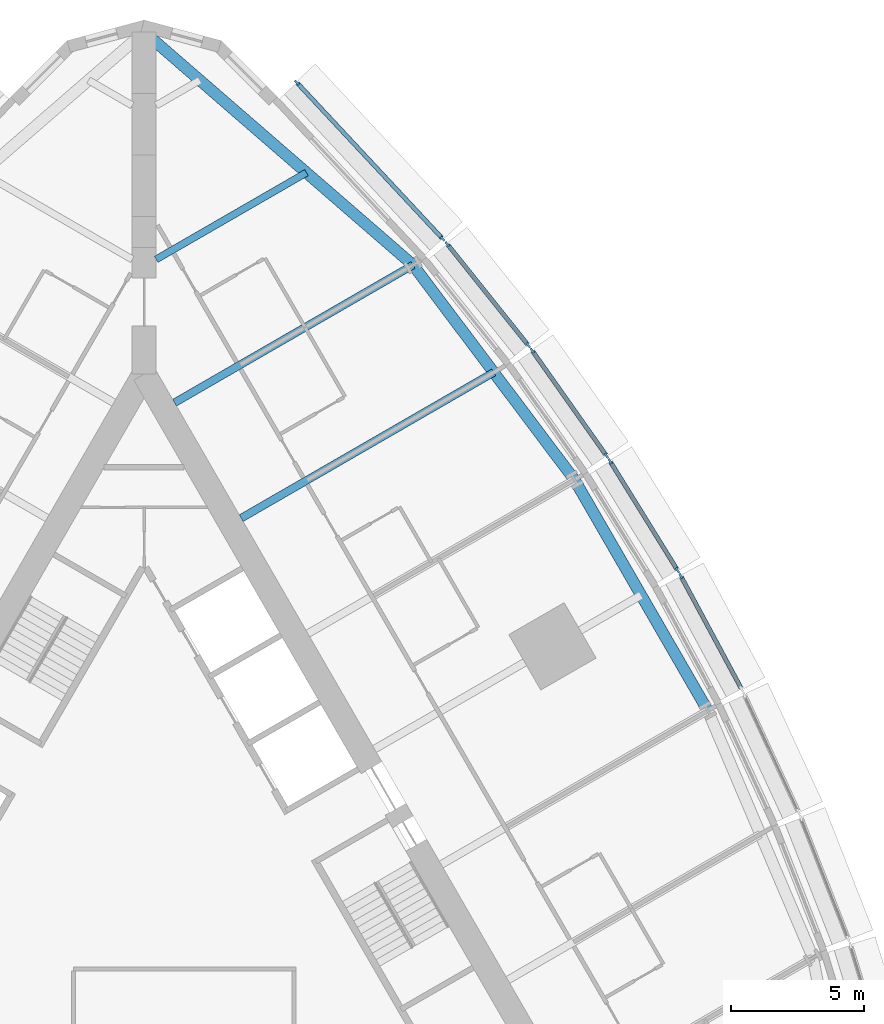
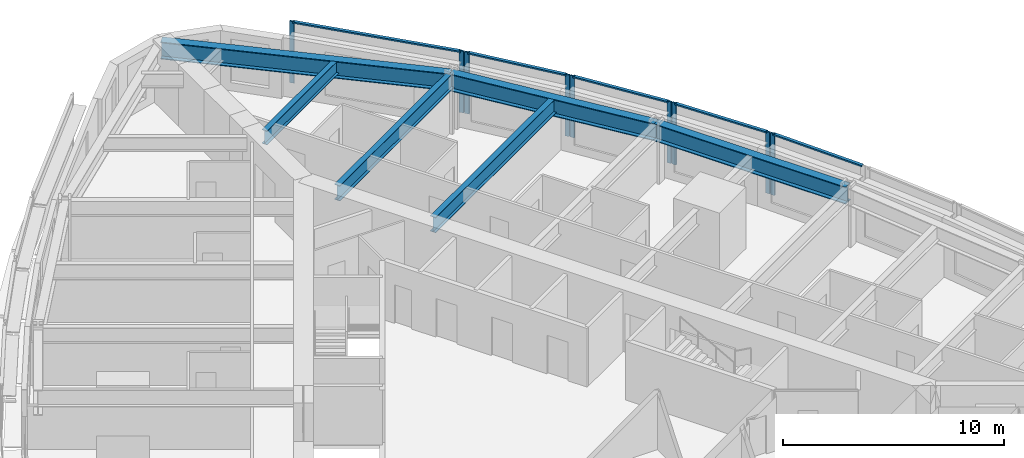
# One storey, part 5 of 14: 14 members, 6 beams, 5 elements without a shape of their own.
"""IFC4 building model written with IfcOpenShell, lengths in metres."""

from ifc_helpers import new_model, si_unit, direction, frame, origin, origin_2d, place, context, subcontext, project, spatial, rectangle, i_section, extrude, material, material_profile, profile_set, type_object, element, aggregate, save


model = new_model("IFC4")

# Units and contexts
model_context = context("Model", 3, precision=1e-05, world=origin(), true_north=direction((0.0, 1.0)))
body_context = subcontext(model_context, "Body", "Model", "MODEL_VIEW")
ifc_project = project(units=[si_unit("LENGTHUNIT", "METRE"), si_unit("AREAUNIT", "SQUARE_METRE"), si_unit("VOLUMEUNIT", "CUBIC_METRE"), si_unit("PLANEANGLEUNIT", "RADIAN"), si_unit("MASSUNIT", "GRAM", prefix="KILO")], contexts=[model_context])

# Site, building, storey
site_placement = place(None, origin())
site = spatial("IfcSite", under=ifc_project, at=site_placement, CompositionType="ELEMENT")
building_placement = place(site_placement, origin())
building = spatial("IfcBuilding", under=site, at=building_placement, Name="Trikona Tower", CompositionType="ELEMENT")
storey_placement = place(building_placement, frame((0.0, 0.0, 42.10009765625)))
storey = spatial("IfcBuildingStorey", under=building, at=storey_placement, Name="L09", CompositionType="ELEMENT", Elevation=42.10009765625)

# Curtain wall, member
ifc_material_1 = material(Name="Aluminium curtain wall system", Category="aluminium")
curtain_wall_type = type_object("IfcCurtainWallType", Name="Curtain wall DS1", PredefinedType="NOTDEFINED", material=ifc_material_1)
curtain_wall_1_placement = place(storey_placement, origin())
curtain_wall_1 = element("IfcCurtainWall", 1, at=curtain_wall_1_placement, inside=storey, type_object=curtain_wall_type, Name="Curtain wall DS1 L09", PredefinedType="NOTDEFINED")
ifc_material_2 = material(Name="Aluminium mullion, pale anodised", Category="aluminium")
ifc_material_profile_1 = material_profile(ifc_material_2, rectangle(XDim=0.080078125, YDim=0.219970703125, at=origin_2d()), Name="MUL-DS1")
ifc_profile_set_1 = profile_set([ifc_material_profile_1], Name="Aluminium mullion, pale anodised")
member_type_1 = type_object("IfcMemberType", Name="Mullion DS1 80x220", PredefinedType="MULLION", material=ifc_profile_set_1)
member_1_placement = place(storey_placement, frame((20.128662109375, 11.474365234375, 0.0), z_axis=(0.0, 0.0, 1.0), x_axis=(-0.880843080975, -0.473408350896, 0.0)))
member_1 = element("IfcMember", 2, at=member_1_placement, type_object=member_type_1, Name="CW-DS1 mullion 2", PredefinedType="MULLION", context=body_context, shape_type="SweptSolid", body=[
    extrude(rectangle(XDim=0.080078125, YDim=0.219970703125, at=origin_2d()), origin(), (0.0, 0.0, 1.0), 3.39990234375),
])

# Curtain wall, members
curtain_wall_2_placement = place(storey_placement, origin())
curtain_wall_2 = element("IfcCurtainWall", 3, at=curtain_wall_2_placement, inside=storey, type_object=curtain_wall_type, Name="Curtain wall DS1 L09", PredefinedType="NOTDEFINED")
member_2_placement = place(storey_placement, frame((20.00146484375, 11.69482421875, 0.0), z_axis=(0.0, 0.0, 1.0), x_axis=(-0.850410468941, -0.526119790842, 0.0)))
member_2 = element("IfcMember", 4, at=member_2_placement, type_object=member_type_1, Name="CW-DS1 mullion 1", PredefinedType="MULLION", context=body_context, shape_type="SweptSolid", body=[
    extrude(rectangle(XDim=0.080078125, YDim=0.219970703125, at=origin_2d()), origin(), (0.0, 0.0, 1.0), 3.39990234375),
])
member_3_placement = place(storey_placement, frame((17.474853515625, 15.77880859375, 0.0), z_axis=(0.0, 0.0, 1.0), x_axis=(-0.850410468941, -0.526119790842, 0.0)))
member_3 = element("IfcMember", 5, at=member_3_placement, type_object=member_type_1, Name="CW-DS1 mullion 2", PredefinedType="MULLION", context=body_context, shape_type="SweptSolid", body=[
    extrude(rectangle(XDim=0.080078125, YDim=0.219970703125, at=origin_2d()), origin(), (0.0, 0.0, 1.0), 3.39990234375),
])

curtain_wall_3_placement = place(storey_placement, origin())
curtain_wall_3 = element("IfcCurtainWall", 6, at=curtain_wall_3_placement, inside=storey, type_object=curtain_wall_type, Name="Curtain wall DS1 L09", PredefinedType="NOTDEFINED")
member_4_placement = place(storey_placement, frame((17.33447265625, 15.990966796875, 0.0), z_axis=(0.0, 0.0, 1.0), x_axis=(-0.816985393055, -0.576658362928, 0.0)))
member_4 = element("IfcMember", 7, at=member_4_placement, type_object=member_type_1, Name="CW-DS1 mullion 1", PredefinedType="MULLION", context=body_context, shape_type="SweptSolid", body=[
    extrude(rectangle(XDim=0.080078125, YDim=0.219970703125, at=origin_2d()), origin(), (0.0, 0.0, 1.0), 3.39990234375),
])
member_5_placement = place(storey_placement, frame((14.554443359375, 19.929443359375, 0.0), z_axis=(0.0, 0.0, 1.0), x_axis=(-0.816985393055, -0.576658362928, 0.0)))
member_5 = element("IfcMember", 8, at=member_5_placement, type_object=member_type_1, Name="CW-DS1 mullion 2", PredefinedType="MULLION", context=body_context, shape_type="SweptSolid", body=[
    extrude(rectangle(XDim=0.080078125, YDim=0.219970703125, at=origin_2d()), origin(), (0.0, 0.0, 1.0), 3.39990234375),
])

curtain_wall_4_placement = place(storey_placement, origin())
curtain_wall_4 = element("IfcCurtainWall", 9, at=curtain_wall_4_placement, inside=storey, type_object=curtain_wall_type, Name="Curtain wall DS1 L09", PredefinedType="NOTDEFINED")
member_6_placement = place(storey_placement, frame((14.40185546875, 20.13232421875, 0.0), z_axis=(0.0, 0.0, 1.0), x_axis=(-0.780937959679, -0.624608599951, 0.0)))
member_6 = element("IfcMember", 10, at=member_6_placement, type_object=member_type_1, Name="CW-DS1 mullion 1", PredefinedType="MULLION", context=body_context, shape_type="SweptSolid", body=[
    extrude(rectangle(XDim=0.080078125, YDim=0.219970703125, at=origin_2d()), origin(), (0.0, 0.0, 1.0), 3.39990234375),
])
member_7_placement = place(storey_placement, frame((11.36767578125, 23.926025390625, 0.0), z_axis=(0.0, 0.0, 1.0), x_axis=(-0.780937959679, -0.624608599951, 0.0)))
member_7 = element("IfcMember", 11, at=member_7_placement, type_object=member_type_1, Name="CW-DS1 mullion 2", PredefinedType="MULLION", context=body_context, shape_type="SweptSolid", body=[
    extrude(rectangle(XDim=0.080078125, YDim=0.219970703125, at=origin_2d()), origin(), (0.0, 0.0, 1.0), 3.39990234375),
])

curtain_wall_5_placement = place(storey_placement, origin())
curtain_wall_5 = element("IfcCurtainWall", 12, at=curtain_wall_5_placement, inside=storey, type_object=curtain_wall_type, Name="Curtain wall DS1 L09", PredefinedType="NOTDEFINED")
member_8_placement = place(storey_placement, frame((11.192138671875, 24.129150390625, 0.0), z_axis=(0.0, 0.0, 1.0), x_axis=(-0.731076639405, -0.682295351967, 0.0)))
member_8 = element("IfcMember", 13, at=member_8_placement, type_object=member_type_1, Name="CW-DS1 mullion 1", PredefinedType="MULLION", context=body_context, shape_type="SweptSolid", body=[
    extrude(rectangle(XDim=0.080078125, YDim=0.219970703125, at=origin_2d()), origin(), (0.0, 0.0, 1.0), 3.39990234375),
])
member_9_placement = place(storey_placement, frame((5.72607421875, 29.98583984375, 0.0), z_axis=(0.0, 0.0, 1.0), x_axis=(-0.731076639405, -0.682295351967, 0.0)))
member_9 = element("IfcMember", 14, at=member_9_placement, type_object=member_type_1, Name="CW-DS1 mullion 2", PredefinedType="MULLION", context=body_context, shape_type="SweptSolid", body=[
    extrude(rectangle(XDim=0.080078125, YDim=0.219970703125, at=origin_2d()), origin(), (0.0, 0.0, 1.0), 3.39990234375),
])

# Beams
ifc_material_3 = material(Name="Steel ASTM A992 Grade 50", Category="steel")
ifc_material_profile_2 = material_profile(ifc_material_3, i_section(OverallWidth=0.2666015625, OverallDepth=0.76953125, WebThickness=0.015625, FlangeThickness=0.025390625, at=origin_2d()), Name="W30X132")
ifc_profile_set_2 = profile_set([ifc_material_profile_2], Name="Steel ASTM A992 Grade 50")
beam_type_1 = type_object("IfcBeamType", Name="Steel beam W30x132 (wedge)", PredefinedType="BEAM", material=ifc_profile_set_2)
beam_1_placement = place(storey_placement, frame((0.449951171875, 23.353759765625, 2.85009765625), z_axis=(0.866022504693, 0.50000502134, 0.0), x_axis=(-0.50000502134, 0.866022504693, 0.0)))
element("IfcBeam", 15, at=beam_1_placement, inside=storey, type_object=beam_type_1, Name="Floor beam L10 F2 u20", PredefinedType="BEAM", context=body_context, shape_type="SweptSolid", body=[
    extrude(i_section(OverallWidth=0.2666015625, OverallDepth=0.76953125, WebThickness=0.015625, FlangeThickness=0.025390625, at=origin_2d()), origin(), (0.0, 0.0, 1.0), 6.5068359375),
])
ifc_material_4 = material(Name="Steel ASTM A992 Grade 50", Category="steel")
ifc_material_profile_3 = material_profile(ifc_material_4, i_section(OverallWidth=0.2919921875, OverallDepth=0.845703125, WebThickness=0.015380859375, FlangeThickness=0.0244140625, at=origin_2d()), Name="W33X141")
ifc_profile_set_3 = profile_set([ifc_material_profile_3], Name="Steel ASTM A992 Grade 50")
beam_type_2 = type_object("IfcBeamType", Name="Steel beam W33x141 (radial typ)", PredefinedType="BEAM", material=ifc_profile_set_3)
beam_2_placement = place(storey_placement, frame((3.6396484375, 13.6484375, 2.81201171875), z_axis=(0.866025348605, 0.500000095573, 0.0), x_axis=(-0.500000095573, 0.866025348605, 0.0)))
element("IfcBeam", 16, at=beam_2_placement, inside=storey, type_object=beam_type_2, Name="Floor beam L10 F2 u10", PredefinedType="BEAM", context=body_context, shape_type="SweptSolid", body=[
    extrude(i_section(OverallWidth=0.2919921875, OverallDepth=0.845703125, WebThickness=0.015380859375, FlangeThickness=0.0244140625, at=origin_2d()), origin(), (0.0, 0.0, 1.0), 10.935546875),
])
beam_3_placement = place(storey_placement, frame((1.1396484375, 17.978515625, 2.81201171875), z_axis=(0.866030471684, 0.499991222037, 0.0), x_axis=(-0.499991222037, 0.866030471684, 0.0)))
element("IfcBeam", 17, at=beam_3_placement, inside=storey, type_object=beam_type_2, Name="Floor beam L10 F2 u15", PredefinedType="BEAM", context=body_context, shape_type="SweptSolid", body=[
    extrude(i_section(OverallWidth=0.2919921875, OverallDepth=0.845703125, WebThickness=0.015380859375, FlangeThickness=0.0244140625, at=origin_2d()), origin(), (0.0, 0.0, 1.0), 10.326904296875),
])
ifc_material_5 = material(Name="Steel ASTM A992 Grade 50", Category="steel")
ifc_material_profile_4 = material_profile(ifc_material_5, i_section(OverallWidth=0.424072265625, OverallDepth=0.947509765625, WebThickness=0.02392578125, FlangeThickness=0.042724609375, at=origin_2d()), Name="W36X302")
ifc_profile_set_4 = profile_set([ifc_material_profile_4], Name="Steel ASTM A992 Grade 50")
beam_type_3 = type_object("IfcBeamType", Name="Steel beam W36x302 (spandrel)", PredefinedType="SPANDREL", material=ifc_profile_set_4)
beam_4_placement = place(storey_placement, frame((21.13720703125, 6.43017578125, 2.76123046875), z_axis=(-0.500004234368, 0.866022959057, 0.0), x_axis=(-0.866022959057, -0.500004234368, 0.0)))
element("IfcBeam", 18, at=beam_4_placement, inside=storey, type_object=beam_type_3, Name="Spandrel beam L10 F2-3", PredefinedType="SPANDREL", context=body_context, shape_type="SweptSolid", body=[
    extrude(i_section(OverallWidth=0.424072265625, OverallDepth=0.947509765625, WebThickness=0.02392578125, FlangeThickness=0.042724609375, at=origin_2d()), origin(), (0.0, 0.0, 1.0), 10.0),
])
beam_5_placement = place(storey_placement, frame((16.13720703125, 15.09033203125, 2.76123046875), z_axis=(-0.600988344191, 0.799257787042, 0.0), x_axis=(-0.799257787042, -0.600988344191, 0.0)))
element("IfcBeam", 19, at=beam_5_placement, inside=storey, type_object=beam_type_3, Name="Spandrel beam L10 F2-4", PredefinedType="SPANDREL", context=body_context, shape_type="SweptSolid", body=[
    extrude(i_section(OverallWidth=0.424072265625, OverallDepth=0.947509765625, WebThickness=0.02392578125, FlangeThickness=0.042724609375, at=origin_2d()), origin(), (0.0, 0.0, 1.0), 10.07373046875),
])
beam_6_placement = place(storey_placement, frame((10.0830078125, 23.141845703125, 2.76123046875), z_axis=(-0.755646822726, 0.654979296851, 0.0), x_axis=(-0.654979296851, -0.755646822726, 0.0)))
element("IfcBeam", 20, at=beam_6_placement, inside=storey, type_object=beam_type_3, Name="Spandrel beam L10 F2-5", PredefinedType="SPANDREL", context=body_context, shape_type="SweptSolid", body=[
    extrude(i_section(OverallWidth=0.424072265625, OverallDepth=0.947509765625, WebThickness=0.02392578125, FlangeThickness=0.042724609375, at=origin_2d()), origin(), (0.0, 0.0, 1.0), 13.343505859375),
])

# Member
ifc_material_6 = material(Name="Aluminium transom, pale anodised", Category="aluminium")
ifc_material_profile_5 = material_profile(ifc_material_6, rectangle(XDim=0.159912109375, YDim=0.080078125, at=origin_2d()), Name="TRN-DS1")
ifc_profile_set_5 = profile_set([ifc_material_profile_5], Name="Aluminium transom, pale anodised")
member_type_2 = type_object("IfcMemberType", Name="Transom DS1 80x160", PredefinedType="USERDEFINED", material=ifc_profile_set_5)
member_10_placement = place(storey_placement, frame((22.38330078125, 7.279541015625, 3.35986328125), z_axis=(-0.473427569755, 0.880832751546, 0.0), x_axis=(-0.880832751546, -0.473427569755, 0.0)))
member_10 = element("IfcMember", 21, at=member_10_placement, type_object=member_type_2, Name="CW-DS1 transom 1.1", ObjectType="TRANSOM", PredefinedType="USERDEFINED", context=body_context, shape_type="SweptSolid", body=[
    extrude(rectangle(XDim=0.159912109375, YDim=0.080078125, at=origin_2d()), origin(), (0.0, 0.0, 1.0), 4.72216796875),
])

aggregate(curtain_wall_1, [member_1, member_10])

member_11_placement = place(storey_placement, frame((19.980224609375, 11.728759765625, 3.35986328125), z_axis=(-0.526080502257, 0.850434774186, 0.0), x_axis=(-0.850434774186, -0.526080502257, 0.0)))
member_11 = element("IfcMember", 22, at=member_11_placement, type_object=member_type_2, Name="CW-DS1 transom 1.1", ObjectType="TRANSOM", PredefinedType="USERDEFINED", context=body_context, shape_type="SweptSolid", body=[
    extrude(rectangle(XDim=0.159912109375, YDim=0.080078125, at=origin_2d()), origin(), (0.0, 0.0, 1.0), 4.722412109375),
])

aggregate(curtain_wall_2, [member_2, member_3, member_11])

member_12_placement = place(storey_placement, frame((17.311279296875, 16.023681640625, 3.35986328125), z_axis=(-0.57664478015, 0.816994980111, 0.0), x_axis=(-0.816994980111, -0.57664478015, 0.0)))
member_12 = element("IfcMember", 23, at=member_12_placement, type_object=member_type_2, Name="CW-DS1 transom 1.1", ObjectType="TRANSOM", PredefinedType="USERDEFINED", context=body_context, shape_type="SweptSolid", body=[
    extrude(rectangle(XDim=0.159912109375, YDim=0.080078125, at=origin_2d()), origin(), (0.0, 0.0, 1.0), 4.740478515625),
])

aggregate(curtain_wall_3, [member_4, member_5, member_12])

member_13_placement = place(storey_placement, frame((14.376953125, 20.16357421875, 3.35986328125), z_axis=(-0.624589103832, 0.780953552636, 0.0), x_axis=(-0.780953552636, -0.624589103832, 0.0)))
member_13 = element("IfcMember", 24, at=member_13_placement, type_object=member_type_2, Name="CW-DS1 transom 1.1", ObjectType="TRANSOM", PredefinedType="USERDEFINED", context=body_context, shape_type="SweptSolid", body=[
    extrude(rectangle(XDim=0.159912109375, YDim=0.080078125, at=origin_2d()), origin(), (0.0, 0.0, 1.0), 4.77783203125),
])

aggregate(curtain_wall_4, [member_6, member_7, member_13])

member_14_placement = place(storey_placement, frame((11.164794921875, 24.158203125, 3.35986328125), z_axis=(-0.682290830921, 0.731080858758, 0.0), x_axis=(-0.731080858758, -0.682290830921, 0.0)))
member_14 = element("IfcMember", 25, at=member_14_placement, type_object=member_type_2, Name="CW-DS1 transom 1.1", ObjectType="TRANSOM", PredefinedType="USERDEFINED", context=body_context, shape_type="SweptSolid", body=[
    extrude(rectangle(XDim=0.159912109375, YDim=0.080078125, at=origin_2d()), origin(), (0.0, 0.0, 1.0), 7.93115234375),
])

aggregate(curtain_wall_5, [member_8, member_9, member_14])

save(model, "model.ifc")
